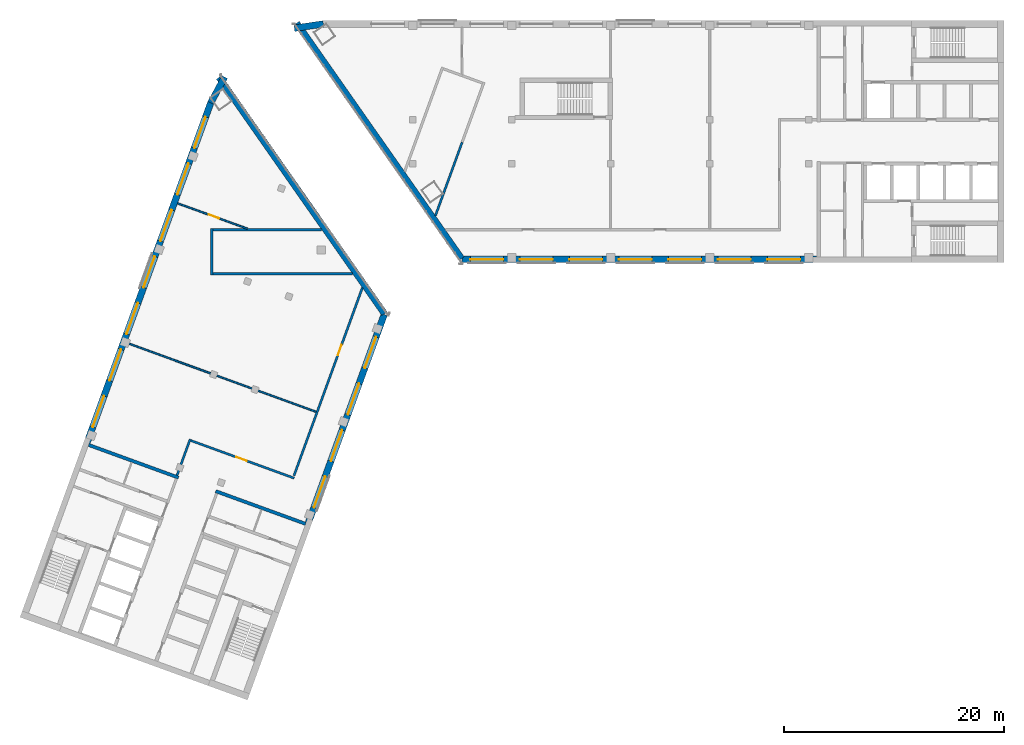
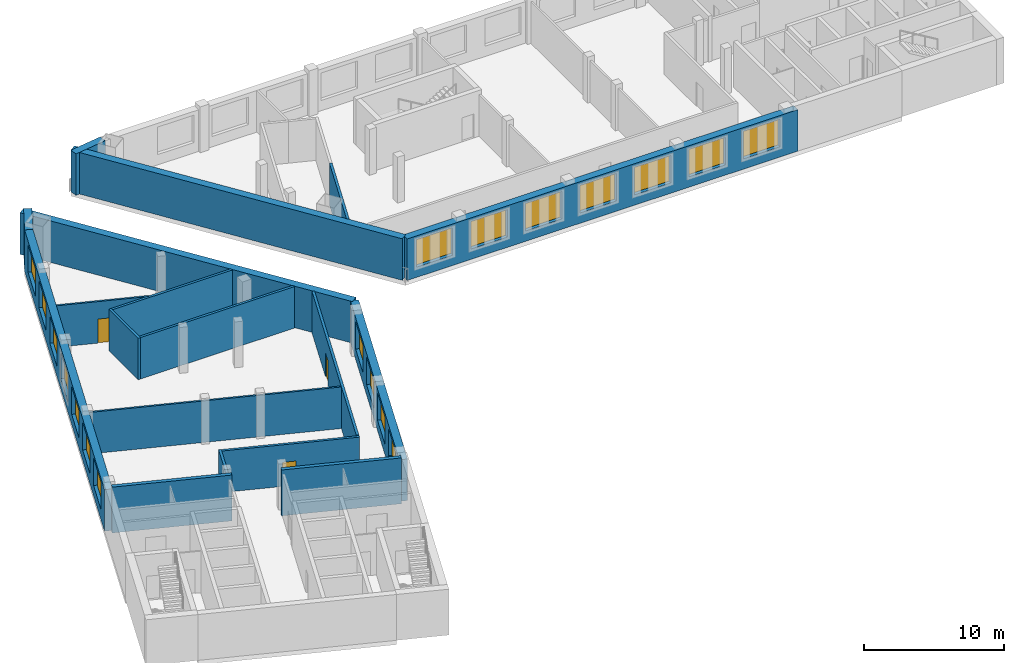
# One storey, part 3 of 7: 18 walls, 18 windows, 3 doors, 21 openings.
"""IFC4 building model written with IfcOpenShell, lengths in metres."""

from ifc_helpers import new_model, si_unit, direction, frame, frame_2d, origin, place, context, subcontext, project, spatial, rectangle, extrude, material, layer, layer_set, type_object, element, fill, save


model = new_model("IFC4")

# Units and contexts
model_context = context("Model", 3, precision=1e-05, world=origin(), true_north=direction((0.0, 1.0)))
body_context = subcontext(model_context, "Body", "Model", "MODEL_VIEW")
ifc_project = project(units=[si_unit("LENGTHUNIT", "METRE"), si_unit("AREAUNIT", "SQUARE_METRE"), si_unit("VOLUMEUNIT", "CUBIC_METRE"), si_unit("PLANEANGLEUNIT", "RADIAN"), si_unit("MASSUNIT", "GRAM", prefix="KILO")], contexts=[model_context])

# Site, building, storey
site_placement = place(None, origin())
site = spatial("IfcSite", under=ifc_project, at=site_placement, CompositionType="ELEMENT")
building_placement = place(site_placement, origin())
building = spatial("IfcBuilding", under=site, at=building_placement, Name="Skarvind Civic Tower", CompositionType="ELEMENT")
storey_placement = place(building_placement, frame((0.0, 0.0, 188.0)))
storey = spatial("IfcBuildingStorey", under=building, at=storey_placement, Name="L44", CompositionType="ELEMENT", Elevation=188.0)

# Walls
ifc_material_1 = material(Name="Concrete C60", Category="concrete")
ifc_layer_1 = layer(ifc_material_1, 0.300048828125)
ifc_layer_set_1 = layer_set([ifc_layer_1], Name="Core wall 300 C60")
wall_type_1 = type_object("IfcWallType", Name="Core wall 300 C60", PredefinedType="SHEAR", material=ifc_layer_set_1)
wall_1_placement = place(storey_placement, frame((44.52880859375, 93.258056640625, 0.0), z_axis=(0.0, 0.0, 1.0), x_axis=(-0.9396917844, 0.342022441267, 0.0)))
element("IfcWall", 1, at=wall_1_placement, inside=storey, type_object=wall_type_1, Name="Core wall C2 south inner face L44", PredefinedType="SHEAR", context=body_context, shape_type="SweptSolid", body=[
    extrude(rectangle(XDim=8.699951171875, YDim=0.300048828125, at=frame_2d((4.35009765625, 0.0))), origin(), (0.0, 0.0, 1.0), 4.0),
])
wall_2_placement = place(storey_placement, frame((32.970703125, 97.46484375, 0.0), z_axis=(0.0, 0.0, 1.0), x_axis=(-0.939695066972, 0.34201342241, 0.0)))
element("IfcWall", 2, at=wall_2_placement, inside=storey, type_object=wall_type_1, Name="Core wall C2 north inner face L44", PredefinedType="SHEAR", context=body_context, shape_type="SweptSolid", body=[
    extrude(rectangle(XDim=8.7001953125, YDim=0.300048828125, at=frame_2d((4.35009765625, 0.0))), origin(), (0.0, 0.0, 1.0), 4.0),
])
ifc_material_2 = material(Name="Fire-rated blockwork wall, plastered", Category="masonry")
ifc_layer_2 = layer(ifc_material_2, 0.199951171875)
ifc_layer_set_2 = layer_set([ifc_layer_2], Name="FIRE WALL 200 EI 60")
wall_type_2 = type_object("IfcWallType", Name="FIRE WALL 200 EI 60", PredefinedType="PARTITIONING", material=ifc_layer_set_2)
wall_3_placement = place(storey_placement, frame((32.833984375, 97.674072265625, 0.0), z_axis=(0.0, 0.0, 1.0), x_axis=(0.342017493073, 0.939693585395, 0.0)))
element("IfcWall", 3, at=wall_3_placement, inside=storey, type_object=wall_type_2, Name="Portal partition L44 002", PredefinedType="PARTITIONING", context=body_context, shape_type="SweptSolid", body=[
    extrude(rectangle(XDim=3.5, YDim=0.199951171875, at=frame_2d((1.75, 0.0))), origin(), (0.0, 0.0, 1.0), 3.625),
])

# Wall, opening, door
wall_4_placement = place(storey_placement, frame((34.091064453125, 100.8349609375, 0.0), z_axis=(0.0, 0.0, 1.0), x_axis=(0.939702148643, -0.341993964619, 0.0)))
wall_4 = element("IfcWall", 4, at=wall_4_placement, inside=storey, type_object=wall_type_2, Name="Portal partition L44 004", PredefinedType="PARTITIONING", context=body_context, shape_type="SweptSolid", body=[
    extrude(rectangle(XDim=10.0, YDim=0.199951171875, at=frame_2d((5.0, 0.0))), origin(), (0.0, 0.0, 1.0), 3.625),
])
opening_1_placement = place(wall_4_placement, frame((4.39990234375, 0.0, 0.0)))
opening_1 = element("IfcOpeningElement", 5, at=opening_1_placement, cuts=wall_4, Name="Opening L44-D202", PredefinedType="OPENING", context=body_context, shape_type="SweptSolid", body=[
    extrude(rectangle(XDim=1.0, YDim=2.10009765625, at=frame_2d((0.5, 1.050048828125))), frame((0.0, 0.10986328125, 0.0), z_axis=(0.0, -1.0, 0.0), x_axis=(1.0, 0.0, 0.0)), (0.0, 0.0, 1.0), 0.219970703125),
])
ifc_material_3 = material(Name="Painted steel fire door leaf", Category="steel")
door_type_1 = type_object("IfcDoorType", Name="FIRE DOOR 1000X2100 STEEL", OperationType="NOTDEFINED", PredefinedType="DOOR", material=ifc_material_3)
door_1_placement = place(opening_1_placement, origin())
door_1 = element("IfcDoor", 6, at=door_1_placement, inside=storey, type_object=door_type_1, Name="FIRE DOOR", OperationType="SINGLE_SWING_LEFT", OverallHeight=2.10009765625, OverallWidth=1.0, PredefinedType="DOOR", context=body_context, shape_type="SweptSolid", body=[
    extrude(rectangle(XDim=1.0, YDim=2.10009765625, at=frame_2d((0.5, 1.050048828125))), frame((0.0, 0.02490234375, 0.0), z_axis=(0.0, -1.0, 0.0), x_axis=(1.0, 0.0, 0.0)), (0.0, 0.0, 1.0), 0.050048828125),
])
fill(opening_1, door_1)

# Walls
wall_5_placement = place(storey_placement, frame((36.0, 115.89990234375, 0.0), z_axis=(0.0, 0.0, 1.0), x_axis=(0.0, 1.0, 0.0)))
element("IfcWall", 7, at=wall_5_placement, inside=storey, type_object=wall_type_2, Name="Portal partition L44 005", PredefinedType="PARTITIONING", context=body_context, shape_type="SweptSolid", body=[
    extrude(rectangle(XDim=4.2001953125, YDim=0.199951171875, at=frame_2d((2.10009765625, 0.0))), origin(), (0.0, 0.0, 1.0), 3.625),
])
wall_6_placement = place(storey_placement, frame((36.10009765625, 116.0, 0.0), z_axis=(0.0, 0.0, 1.0), x_axis=(1.0, 0.0, 0.0)))
element("IfcWall", 8, at=wall_6_placement, inside=storey, type_object=wall_type_2, Name="Portal partition L44 006", PredefinedType="PARTITIONING", context=body_context, shape_type="SweptSolid", body=[
    extrude(rectangle(XDim=12.68701171875, YDim=0.199951171875, at=frame_2d((6.343505859375, 0.0))), origin(), (0.0, 0.0, 1.0), 3.625),
])
wall_7_placement = place(storey_placement, frame((36.10009765625, 120.0, 0.0), z_axis=(0.0, 0.0, 1.0), x_axis=(1.0, 0.0, 0.0)))
element("IfcWall", 9, at=wall_7_placement, inside=storey, type_object=wall_type_2, Name="Portal partition L44 007", PredefinedType="PARTITIONING", context=body_context, shape_type="SweptSolid", body=[
    extrude(rectangle(XDim=9.886962890625, YDim=0.199951171875, at=frame_2d((4.943359375, 0.0))), origin(), (0.0, 0.0, 1.0), 3.625),
])

# Wall, opening, door
wall_8_placement = place(storey_placement, frame((43.464111328125, 97.64111328125, 0.0), z_axis=(0.0, 0.0, 1.0), x_axis=(0.341997546278, 0.939700845131, 0.0)))
wall_8 = element("IfcWall", 10, at=wall_8_placement, inside=storey, type_object=wall_type_2, Name="Portal partition L44 009", PredefinedType="PARTITIONING", context=body_context, shape_type="SweptSolid", body=[
    extrude(rectangle(XDim=18.177978515625, YDim=0.199951171875, at=frame_2d((9.0888671875, 0.0))), origin(), (0.0, 0.0, 1.0), 3.625),
])
opening_2_placement = place(wall_8_placement, frame((11.658935546875, 0.0, 0.0)))
opening_2 = element("IfcOpeningElement", 11, at=opening_2_placement, cuts=wall_8, Name="Opening L44-D203", PredefinedType="OPENING", context=body_context, shape_type="SweptSolid", body=[
    extrude(rectangle(XDim=1.0, YDim=2.10009765625, at=frame_2d((0.5, 1.050048828125))), frame((0.0, 0.10986328125, 0.0), z_axis=(0.0, -1.0, 0.0), x_axis=(1.0, 0.0, 0.0)), (0.0, 0.0, 1.0), 0.219970703125),
])
door_2_placement = place(opening_2_placement, origin())
door_2 = element("IfcDoor", 12, at=door_2_placement, inside=storey, type_object=door_type_1, Name="FIRE DOOR", OperationType="SINGLE_SWING_RIGHT", OverallHeight=2.10009765625, OverallWidth=1.0, PredefinedType="DOOR", context=body_context, shape_type="SweptSolid", body=[
    extrude(rectangle(XDim=1.0, YDim=2.10009765625, at=frame_2d((0.5, 1.050048828125))), frame((0.0, 0.02490234375, 0.0), z_axis=(0.0, -1.0, 0.0), x_axis=(1.0, 0.0, 0.0)), (0.0, 0.0, 1.0), 0.050048828125),
])
fill(opening_2, door_2)

# Walls
wall_9_placement = place(storey_placement, frame((56.322998046875, 121.278076171875, 0.0), z_axis=(0.0, 0.0, 1.0), x_axis=(0.342116070913, 0.939657700454, 0.0)))
element("IfcWall", 13, at=wall_9_placement, inside=storey, type_object=wall_type_2, Name="Portal partition L44 011", PredefinedType="PARTITIONING", context=body_context, shape_type="SweptSolid", body=[
    extrude(rectangle(XDim=7.093994140625, YDim=0.199951171875, at=frame_2d((3.546875, 0.0))), origin(), (0.0, 0.0, 1.0), 3.625),
])
ifc_material_4 = material(Name="Plasterboard partition on steel studs", Category="steel")
ifc_layer_3 = layer(ifc_material_4, 0.14990234375)
ifc_layer_set_3 = layer_set([ifc_layer_3], Name="PARTITION 150")
wall_type_3 = type_object("IfcWallType", Name="PARTITION 150", PredefinedType="PARTITIONING", material=ifc_layer_set_3)
wall_10_placement = place(storey_placement, frame((28.27490234375, 109.708984375, 0.0), z_axis=(0.0, 0.0, 1.0), x_axis=(0.939695619185, -0.342011905181, 0.0)))
element("IfcWall", 14, at=wall_10_placement, inside=storey, type_object=wall_type_3, Name="Portal partition L44 001", PredefinedType="PARTITIONING", context=body_context, shape_type="SweptSolid", body=[
    extrude(rectangle(XDim=18.300537109375, YDim=0.14990234375, at=frame_2d((9.150390625, 0.0))), origin(), (0.0, 0.0, 1.0), 3.625),
])

# Wall, opening, door
wall_11_placement = place(storey_placement, frame((39.222900390625, 120.091064453125, 0.0), z_axis=(0.0, 0.0, 1.0), x_axis=(-0.939705573142, 0.341984554924, 0.0)))
wall_11 = element("IfcWall", 15, at=wall_11_placement, inside=storey, type_object=wall_type_3, Name="Portal partition L44 003", PredefinedType="PARTITIONING", context=body_context, shape_type="SweptSolid", body=[
    extrude(rectangle(XDim=6.737060546875, YDim=0.14990234375, at=frame_2d((3.36865234375, 0.0))), origin(), (0.0, 0.0, 1.0), 3.625),
])
opening_3_placement = place(wall_11_placement, frame((2.735107421875, 0.0, 0.0)))
opening_3 = element("IfcOpeningElement", 16, at=opening_3_placement, cuts=wall_11, Name="Opening L44-D201", PredefinedType="OPENING", context=body_context, shape_type="SweptSolid", body=[
    extrude(rectangle(XDim=1.0, YDim=2.10009765625, at=frame_2d((0.5, 1.050048828125))), frame((0.0, 0.0849609375, 0.0), z_axis=(0.0, -1.0, 0.0), x_axis=(1.0, 0.0, 0.0)), (0.0, 0.0, 1.0), 0.169921875),
])
ifc_material_5 = material(Name="Timber veneer door leaf", Category="wood")
door_type_2 = type_object("IfcDoorType", Name="DOOR 1000X2100 TIMBER", OperationType="NOTDEFINED", PredefinedType="DOOR", material=ifc_material_5)
door_3_placement = place(opening_3_placement, origin())
door_3 = element("IfcDoor", 17, at=door_3_placement, inside=storey, type_object=door_type_2, Name="DOOR DOOR", OperationType="SINGLE_SWING_LEFT", OverallHeight=2.10009765625, OverallWidth=1.0, PredefinedType="DOOR", context=body_context, shape_type="SweptSolid", body=[
    extrude(rectangle(XDim=1.0, YDim=2.10009765625, at=frame_2d((0.5, 1.050048828125))), frame((0.0, 0.02490234375, 0.0), z_axis=(0.0, -1.0, 0.0), x_axis=(1.0, 0.0, 0.0)), (0.0, 0.0, 1.0), 0.050048828125),
])
fill(opening_3, door_3)

# Walls
ifc_material_6 = material(Name="Limestone masonry cladding on insulated backing", Category="masonry")
ifc_layer_4 = layer(ifc_material_6, 0.60009765625)
ifc_layer_set_4 = layer_set([ifc_layer_4], Name="WX1 STONE FACADE WALL 600")
wall_type_4 = type_object("IfcWallType", Name="WX1 STONE FACADE WALL 600", PredefinedType="SOLIDWALL", material=ifc_layer_set_4)
wall_12_placement = place(storey_placement, frame((43.499755859375, 138.310791015625, 0.0), z_axis=(0.0, 0.0, 1.0), x_axis=(0.989122765532, 0.147092333948, 0.0)))
element("IfcWall", 18, at=wall_12_placement, inside=storey, type_object=wall_type_4, Name="STONE FACADE WALL", PredefinedType="SOLIDWALL", context=body_context, shape_type="SweptSolid", body=[
    extrude(rectangle(XDim=2.6689453125, YDim=0.60009765625, at=frame_2d((1.33447265625, 0.0))), origin(), (0.0, 0.0, 1.0), 3.625),
])
wall_13_placement = place(storey_placement, frame((58.693603515625, 117.36865234375, 0.0), z_axis=(0.0, 0.0, 1.0), x_axis=(-0.573579564522, 0.819149853911, 0.0)))
element("IfcWall", 19, at=wall_13_placement, inside=storey, type_object=wall_type_4, Name="STONE FACADE WALL", PredefinedType="SOLIDWALL", context=body_context, shape_type="SweptSolid", body=[
    extrude(rectangle(XDim=26.137939453125, YDim=0.60009765625, at=frame_2d((13.06884765625, 0.0))), origin(), (0.0, 0.0, 1.0), 3.625),
])

# Wall, openings, windows
wall_14_placement = place(storey_placement, frame((90.97998046875, 117.300048828125, 0.0), z_axis=(0.0, 0.0, 1.0), x_axis=(-1.0, 0.0, 0.0)))
wall_14 = element("IfcWall", 20, at=wall_14_placement, inside=storey, type_object=wall_type_4, Name="STONE FACADE WALL", PredefinedType="SOLIDWALL", context=body_context, shape_type="SweptSolid", body=[
    extrude(rectangle(XDim=32.234619140625, YDim=0.60009765625, at=frame_2d((16.1171875, 0.0))), origin(), (0.0, 0.0, 1.0), 3.625),
])
opening_4_placement = place(wall_14_placement, frame((1.47998046875, 0.0, 0.89990234375)))
opening_4 = element("IfcOpeningElement", 21, at=opening_4_placement, cuts=wall_14, Name="Opening WN1", PredefinedType="OPENING", context=body_context, shape_type="SweptSolid", body=[
    extrude(rectangle(XDim=3.0, YDim=2.39990234375, at=frame_2d((1.5, 1.199951171875))), frame((0.0, 0.31005859375, 0.0), z_axis=(0.0, -1.0, 0.0), x_axis=(1.0, 0.0, 0.0)), (0.0, 0.0, 1.0), 0.6201171875),
])
opening_5_placement = place(wall_14_placement, frame((5.97998046875, 0.0, 0.89990234375)))
opening_5 = element("IfcOpeningElement", 22, at=opening_5_placement, cuts=wall_14, Name="Opening WN1", PredefinedType="OPENING", context=body_context, shape_type="SweptSolid", body=[
    extrude(rectangle(XDim=3.0, YDim=2.39990234375, at=frame_2d((1.5, 1.199951171875))), frame((0.0, 0.31005859375, 0.0), z_axis=(0.0, -1.0, 0.0), x_axis=(1.0, 0.0, 0.0)), (0.0, 0.0, 1.0), 0.6201171875),
])
opening_6_placement = place(wall_14_placement, frame((10.47998046875, 0.0, 0.89990234375)))
opening_6 = element("IfcOpeningElement", 23, at=opening_6_placement, cuts=wall_14, Name="Opening WN1", PredefinedType="OPENING", context=body_context, shape_type="SweptSolid", body=[
    extrude(rectangle(XDim=3.0, YDim=2.39990234375, at=frame_2d((1.5, 1.199951171875))), frame((0.0, 0.31005859375, 0.0), z_axis=(0.0, -1.0, 0.0), x_axis=(1.0, 0.0, 0.0)), (0.0, 0.0, 1.0), 0.6201171875),
])
opening_7_placement = place(wall_14_placement, frame((14.97998046875, 0.0, 0.89990234375)))
opening_7 = element("IfcOpeningElement", 24, at=opening_7_placement, cuts=wall_14, Name="Opening WN1", PredefinedType="OPENING", context=body_context, shape_type="SweptSolid", body=[
    extrude(rectangle(XDim=3.0, YDim=2.39990234375, at=frame_2d((1.5, 1.199951171875))), frame((0.0, 0.31005859375, 0.0), z_axis=(0.0, -1.0, 0.0), x_axis=(1.0, 0.0, 0.0)), (0.0, 0.0, 1.0), 0.6201171875),
])
opening_8_placement = place(wall_14_placement, frame((19.47998046875, 0.0, 0.89990234375)))
opening_8 = element("IfcOpeningElement", 25, at=opening_8_placement, cuts=wall_14, Name="Opening WN1", PredefinedType="OPENING", context=body_context, shape_type="SweptSolid", body=[
    extrude(rectangle(XDim=3.0, YDim=2.39990234375, at=frame_2d((1.5, 1.199951171875))), frame((0.0, 0.31005859375, 0.0), z_axis=(0.0, -1.0, 0.0), x_axis=(1.0, 0.0, 0.0)), (0.0, 0.0, 1.0), 0.6201171875),
])
opening_9_placement = place(wall_14_placement, frame((23.97998046875, 0.0, 0.89990234375)))
opening_9 = element("IfcOpeningElement", 26, at=opening_9_placement, cuts=wall_14, Name="Opening WN1", PredefinedType="OPENING", context=body_context, shape_type="SweptSolid", body=[
    extrude(rectangle(XDim=3.0, YDim=2.39990234375, at=frame_2d((1.5, 1.199951171875))), frame((0.0, 0.31005859375, 0.0), z_axis=(0.0, -1.0, 0.0), x_axis=(1.0, 0.0, 0.0)), (0.0, 0.0, 1.0), 0.6201171875),
])
opening_10_placement = place(wall_14_placement, frame((28.47998046875, 0.0, 0.89990234375)))
opening_10 = element("IfcOpeningElement", 27, at=opening_10_placement, cuts=wall_14, Name="Opening WN1", PredefinedType="OPENING", context=body_context, shape_type="SweptSolid", body=[
    extrude(rectangle(XDim=3.0, YDim=2.39990234375, at=frame_2d((1.5, 1.199951171875))), frame((0.0, 0.31005859375, 0.0), z_axis=(0.0, -1.0, 0.0), x_axis=(1.0, 0.0, 0.0)), (0.0, 0.0, 1.0), 0.6201171875),
])
ifc_material_7 = material(Name="Timber frame, double glazing, timber-lined reveal", Category="wood")
window_type = type_object("IfcWindowType", Name="WN1 PUNCHED STONE WINDOW 3000 x 2400", PartitioningType="SINGLE_PANEL", PredefinedType="WINDOW", material=ifc_material_7)
window_1_placement = place(opening_4_placement, origin())
window_1 = element("IfcWindow", 28, at=window_1_placement, inside=storey, type_object=window_type, Name="WN1 WINDOW", OverallHeight=2.39990234375, OverallWidth=3.0, PartitioningType="SINGLE_PANEL", PredefinedType="WINDOW", context=body_context, shape_type="SweptSolid", body=[
    extrude(rectangle(XDim=3.0, YDim=2.39990234375, at=frame_2d((1.5, 1.199951171875))), frame((0.0, 0.030029296875, 0.0), z_axis=(0.0, -1.0, 0.0), x_axis=(1.0, 0.0, 0.0)), (0.0, 0.0, 1.0), 0.06005859375),
])
fill(opening_4, window_1)
window_2_placement = place(opening_5_placement, origin())
window_2 = element("IfcWindow", 29, at=window_2_placement, inside=storey, type_object=window_type, Name="WN1 WINDOW", OverallHeight=2.39990234375, OverallWidth=3.0, PartitioningType="SINGLE_PANEL", PredefinedType="WINDOW", context=body_context, shape_type="SweptSolid", body=[
    extrude(rectangle(XDim=3.0, YDim=2.39990234375, at=frame_2d((1.5, 1.199951171875))), frame((0.0, 0.030029296875, 0.0), z_axis=(0.0, -1.0, 0.0), x_axis=(1.0, 0.0, 0.0)), (0.0, 0.0, 1.0), 0.06005859375),
])
fill(opening_5, window_2)
window_3_placement = place(opening_6_placement, origin())
window_3 = element("IfcWindow", 30, at=window_3_placement, inside=storey, type_object=window_type, Name="WN1 WINDOW", OverallHeight=2.39990234375, OverallWidth=3.0, PartitioningType="SINGLE_PANEL", PredefinedType="WINDOW", context=body_context, shape_type="SweptSolid", body=[
    extrude(rectangle(XDim=3.0, YDim=2.39990234375, at=frame_2d((1.5, 1.199951171875))), frame((0.0, 0.030029296875, 0.0), z_axis=(0.0, -1.0, 0.0), x_axis=(1.0, 0.0, 0.0)), (0.0, 0.0, 1.0), 0.06005859375),
])
fill(opening_6, window_3)
window_4_placement = place(opening_7_placement, origin())
window_4 = element("IfcWindow", 31, at=window_4_placement, inside=storey, type_object=window_type, Name="WN1 WINDOW", OverallHeight=2.39990234375, OverallWidth=3.0, PartitioningType="SINGLE_PANEL", PredefinedType="WINDOW", context=body_context, shape_type="SweptSolid", body=[
    extrude(rectangle(XDim=3.0, YDim=2.39990234375, at=frame_2d((1.5, 1.199951171875))), frame((0.0, 0.030029296875, 0.0), z_axis=(0.0, -1.0, 0.0), x_axis=(1.0, 0.0, 0.0)), (0.0, 0.0, 1.0), 0.06005859375),
])
fill(opening_7, window_4)
window_5_placement = place(opening_8_placement, origin())
window_5 = element("IfcWindow", 32, at=window_5_placement, inside=storey, type_object=window_type, Name="WN1 WINDOW", OverallHeight=2.39990234375, OverallWidth=3.0, PartitioningType="SINGLE_PANEL", PredefinedType="WINDOW", context=body_context, shape_type="SweptSolid", body=[
    extrude(rectangle(XDim=3.0, YDim=2.39990234375, at=frame_2d((1.5, 1.199951171875))), frame((0.0, 0.030029296875, 0.0), z_axis=(0.0, -1.0, 0.0), x_axis=(1.0, 0.0, 0.0)), (0.0, 0.0, 1.0), 0.06005859375),
])
fill(opening_8, window_5)
window_6_placement = place(opening_9_placement, origin())
window_6 = element("IfcWindow", 33, at=window_6_placement, inside=storey, type_object=window_type, Name="WN1 WINDOW", OverallHeight=2.39990234375, OverallWidth=3.0, PartitioningType="SINGLE_PANEL", PredefinedType="WINDOW", context=body_context, shape_type="SweptSolid", body=[
    extrude(rectangle(XDim=3.0, YDim=2.39990234375, at=frame_2d((1.5, 1.199951171875))), frame((0.0, 0.030029296875, 0.0), z_axis=(0.0, -1.0, 0.0), x_axis=(1.0, 0.0, 0.0)), (0.0, 0.0, 1.0), 0.06005859375),
])
fill(opening_9, window_6)
window_7_placement = place(opening_10_placement, origin())
window_7 = element("IfcWindow", 34, at=window_7_placement, inside=storey, type_object=window_type, Name="WN1 WINDOW", OverallHeight=2.39990234375, OverallWidth=3.0, PartitioningType="SINGLE_PANEL", PredefinedType="WINDOW", context=body_context, shape_type="SweptSolid", body=[
    extrude(rectangle(XDim=3.0, YDim=2.39990234375, at=frame_2d((1.5, 1.199951171875))), frame((0.0, 0.030029296875, 0.0), z_axis=(0.0, -1.0, 0.0), x_axis=(1.0, 0.0, 0.0)), (0.0, 0.0, 1.0), 0.06005859375),
])
fill(opening_10, window_7)

wall_15_placement = place(storey_placement, frame((51.668212890625, 112.28857421875, 0.0), z_axis=(0.0, 0.0, 1.0), x_axis=(-0.342020240414, -0.939692585449, 0.0)))
wall_15 = element("IfcWall", 35, at=wall_15_placement, inside=storey, type_object=wall_type_4, Name="STONE FACADE WALL", PredefinedType="SOLIDWALL", context=body_context, shape_type="SweptSolid", body=[
    extrude(rectangle(XDim=20.15478515625, YDim=0.60009765625, at=frame_2d((10.077392578125, 0.0))), origin(), (0.0, 0.0, 1.0), 3.625),
])
opening_11_placement = place(wall_15_placement, frame((2.174560546875, 0.0, 0.89990234375)))
opening_11 = element("IfcOpeningElement", 36, at=opening_11_placement, cuts=wall_15, Name="Opening WN1", PredefinedType="OPENING", context=body_context, shape_type="SweptSolid", body=[
    extrude(rectangle(XDim=3.0, YDim=2.39990234375, at=frame_2d((1.5, 1.199951171875))), frame((0.0, 0.31005859375, 0.0), z_axis=(0.0, -1.0, 0.0), x_axis=(1.0, 0.0, 0.0)), (0.0, 0.0, 1.0), 0.6201171875),
])
opening_12_placement = place(wall_15_placement, frame((6.674560546875, 0.0, 0.89990234375)))
opening_12 = element("IfcOpeningElement", 37, at=opening_12_placement, cuts=wall_15, Name="Opening WN1", PredefinedType="OPENING", context=body_context, shape_type="SweptSolid", body=[
    extrude(rectangle(XDim=3.0, YDim=2.39990234375, at=frame_2d((1.5, 1.199951171875))), frame((0.0, 0.31005859375, 0.0), z_axis=(0.0, -1.0, 0.0), x_axis=(1.0, 0.0, 0.0)), (0.0, 0.0, 1.0), 0.6201171875),
])
opening_13_placement = place(wall_15_placement, frame((11.174560546875, 0.0, 0.89990234375)))
opening_13 = element("IfcOpeningElement", 38, at=opening_13_placement, cuts=wall_15, Name="Opening WN1", PredefinedType="OPENING", context=body_context, shape_type="SweptSolid", body=[
    extrude(rectangle(XDim=3.0, YDim=2.39990234375, at=frame_2d((1.5, 1.199951171875))), frame((0.0, 0.31005859375, 0.0), z_axis=(0.0, -1.0, 0.0), x_axis=(1.0, 0.0, 0.0)), (0.0, 0.0, 1.0), 0.6201171875),
])
opening_14_placement = place(wall_15_placement, frame((15.674560546875, 0.0, 0.89990234375)))
opening_14 = element("IfcOpeningElement", 39, at=opening_14_placement, cuts=wall_15, Name="Opening WN1", PredefinedType="OPENING", context=body_context, shape_type="SweptSolid", body=[
    extrude(rectangle(XDim=3.0, YDim=2.39990234375, at=frame_2d((1.5, 1.199951171875))), frame((0.0, 0.31005859375, 0.0), z_axis=(0.0, -1.0, 0.0), x_axis=(1.0, 0.0, 0.0)), (0.0, 0.0, 1.0), 0.6201171875),
])
window_8_placement = place(opening_11_placement, origin())
window_8 = element("IfcWindow", 40, at=window_8_placement, inside=storey, type_object=window_type, Name="WN1 WINDOW", OverallHeight=2.39990234375, OverallWidth=3.0, PartitioningType="SINGLE_PANEL", PredefinedType="WINDOW", context=body_context, shape_type="SweptSolid", body=[
    extrude(rectangle(XDim=3.0, YDim=2.39990234375, at=frame_2d((1.5, 1.199951171875))), frame((0.0, 0.030029296875, 0.0), z_axis=(0.0, -1.0, 0.0), x_axis=(1.0, 0.0, 0.0)), (0.0, 0.0, 1.0), 0.06005859375),
])
fill(opening_11, window_8)
window_9_placement = place(opening_12_placement, origin())
window_9 = element("IfcWindow", 41, at=window_9_placement, inside=storey, type_object=window_type, Name="WN1 WINDOW", OverallHeight=2.39990234375, OverallWidth=3.0, PartitioningType="SINGLE_PANEL", PredefinedType="WINDOW", context=body_context, shape_type="SweptSolid", body=[
    extrude(rectangle(XDim=3.0, YDim=2.39990234375, at=frame_2d((1.5, 1.199951171875))), frame((0.0, 0.030029296875, 0.0), z_axis=(0.0, -1.0, 0.0), x_axis=(1.0, 0.0, 0.0)), (0.0, 0.0, 1.0), 0.06005859375),
])
fill(opening_12, window_9)
window_10_placement = place(opening_13_placement, origin())
window_10 = element("IfcWindow", 42, at=window_10_placement, inside=storey, type_object=window_type, Name="WN1 WINDOW", OverallHeight=2.39990234375, OverallWidth=3.0, PartitioningType="SINGLE_PANEL", PredefinedType="WINDOW", context=body_context, shape_type="SweptSolid", body=[
    extrude(rectangle(XDim=3.0, YDim=2.39990234375, at=frame_2d((1.5, 1.199951171875))), frame((0.0, 0.030029296875, 0.0), z_axis=(0.0, -1.0, 0.0), x_axis=(1.0, 0.0, 0.0)), (0.0, 0.0, 1.0), 0.06005859375),
])
fill(opening_13, window_10)
window_11_placement = place(opening_14_placement, origin())
window_11 = element("IfcWindow", 43, at=window_11_placement, inside=storey, type_object=window_type, Name="WN1 WINDOW", OverallHeight=2.39990234375, OverallWidth=3.0, PartitioningType="SINGLE_PANEL", PredefinedType="WINDOW", context=body_context, shape_type="SweptSolid", body=[
    extrude(rectangle(XDim=3.0, YDim=2.39990234375, at=frame_2d((1.5, 1.199951171875))), frame((0.0, 0.030029296875, 0.0), z_axis=(0.0, -1.0, 0.0), x_axis=(1.0, 0.0, 0.0)), (0.0, 0.0, 1.0), 0.06005859375),
])
fill(opening_14, window_11)

# Walls
wall_16_placement = place(storey_placement, frame((36.65673828125, 133.8466796875, 0.0), z_axis=(0.0, 0.0, 1.0), x_axis=(0.573575458379, -0.819152729072, 0.0)))
element("IfcWall", 44, at=wall_16_placement, inside=storey, type_object=wall_type_4, Name="STONE FACADE WALL", PredefinedType="SOLIDWALL", context=body_context, shape_type="SweptSolid", body=[
    extrude(rectangle(XDim=26.2177734375, YDim=0.60009765625, at=frame_2d((13.10888671875, 0.0))), origin(), (0.0, 0.0, 1.0), 3.625),
])
wall_17_placement = place(storey_placement, frame((35.89453125, 131.529541015625, 0.0), z_axis=(0.0, 0.0, 1.0), x_axis=(0.476536580512, 0.87915464364, 0.0)))
element("IfcWall", 45, at=wall_17_placement, inside=storey, type_object=wall_type_4, Name="STONE FACADE WALL", PredefinedType="SOLIDWALL", context=body_context, shape_type="SweptSolid", body=[
    extrude(rectangle(XDim=2.668701171875, YDim=0.60009765625, at=frame_2d((1.33447265625, 0.0))), origin(), (0.0, 0.0, 1.0), 3.625),
])

# Wall, openings, windows
wall_18_placement = place(storey_placement, frame((24.66552734375, 100.668701171875, 0.0), z_axis=(0.0, 0.0, 1.0), x_axis=(0.34201964167, 0.939692803373, 0.0)))
wall_18 = element("IfcWall", 46, at=wall_18_placement, inside=storey, type_object=wall_type_4, Name="STONE FACADE WALL", PredefinedType="SOLIDWALL", context=body_context, shape_type="SweptSolid", body=[
    extrude(rectangle(XDim=32.88427734375, YDim=0.60009765625, at=frame_2d((16.442138671875, 0.0))), origin(), (0.0, 0.0, 1.0), 3.625),
])
opening_15_placement = place(wall_18_placement, frame((1.47998046875, 0.0, 0.89990234375)))
opening_15 = element("IfcOpeningElement", 47, at=opening_15_placement, cuts=wall_18, Name="Opening WN1", PredefinedType="OPENING", context=body_context, shape_type="SweptSolid", body=[
    extrude(rectangle(XDim=3.0, YDim=2.39990234375, at=frame_2d((1.5, 1.199951171875))), frame((0.0, 0.31005859375, 0.0), z_axis=(0.0, -1.0, 0.0), x_axis=(1.0, 0.0, 0.0)), (0.0, 0.0, 1.0), 0.6201171875),
])
opening_16_placement = place(wall_18_placement, frame((5.97998046875, 0.0, 0.89990234375)))
opening_16 = element("IfcOpeningElement", 48, at=opening_16_placement, cuts=wall_18, Name="Opening WN1", PredefinedType="OPENING", context=body_context, shape_type="SweptSolid", body=[
    extrude(rectangle(XDim=3.0, YDim=2.39990234375, at=frame_2d((1.5, 1.199951171875))), frame((0.0, 0.31005859375, 0.0), z_axis=(0.0, -1.0, 0.0), x_axis=(1.0, 0.0, 0.0)), (0.0, 0.0, 1.0), 0.6201171875),
])
opening_17_placement = place(wall_18_placement, frame((10.47998046875, 0.0, 0.89990234375)))
opening_17 = element("IfcOpeningElement", 49, at=opening_17_placement, cuts=wall_18, Name="Opening WN1", PredefinedType="OPENING", context=body_context, shape_type="SweptSolid", body=[
    extrude(rectangle(XDim=3.0, YDim=2.39990234375, at=frame_2d((1.5, 1.199951171875))), frame((0.0, 0.31005859375, 0.0), z_axis=(0.0, -1.0, 0.0), x_axis=(1.0, 0.0, 0.0)), (0.0, 0.0, 1.0), 0.6201171875),
])
opening_18_placement = place(wall_18_placement, frame((14.97998046875, 0.0, 0.89990234375)))
opening_18 = element("IfcOpeningElement", 50, at=opening_18_placement, cuts=wall_18, Name="Opening WN1", PredefinedType="OPENING", context=body_context, shape_type="SweptSolid", body=[
    extrude(rectangle(XDim=3.0, YDim=2.39990234375, at=frame_2d((1.5, 1.199951171875))), frame((0.0, 0.31005859375, 0.0), z_axis=(0.0, -1.0, 0.0), x_axis=(1.0, 0.0, 0.0)), (0.0, 0.0, 1.0), 0.6201171875),
])
opening_19_placement = place(wall_18_placement, frame((19.47998046875, 0.0, 0.89990234375)))
opening_19 = element("IfcOpeningElement", 51, at=opening_19_placement, cuts=wall_18, Name="Opening WN1", PredefinedType="OPENING", context=body_context, shape_type="SweptSolid", body=[
    extrude(rectangle(XDim=3.0, YDim=2.39990234375, at=frame_2d((1.5, 1.199951171875))), frame((0.0, 0.31005859375, 0.0), z_axis=(0.0, -1.0, 0.0), x_axis=(1.0, 0.0, 0.0)), (0.0, 0.0, 1.0), 0.6201171875),
])
opening_20_placement = place(wall_18_placement, frame((23.97998046875, 0.0, 0.89990234375)))
opening_20 = element("IfcOpeningElement", 52, at=opening_20_placement, cuts=wall_18, Name="Opening WN1", PredefinedType="OPENING", context=body_context, shape_type="SweptSolid", body=[
    extrude(rectangle(XDim=3.0, YDim=2.39990234375, at=frame_2d((1.5, 1.199951171875))), frame((0.0, 0.31005859375, 0.0), z_axis=(0.0, -1.0, 0.0), x_axis=(1.0, 0.0, 0.0)), (0.0, 0.0, 1.0), 0.6201171875),
])
opening_21_placement = place(wall_18_placement, frame((28.47998046875, 0.0, 0.89990234375)))
opening_21 = element("IfcOpeningElement", 53, at=opening_21_placement, cuts=wall_18, Name="Opening WN1", PredefinedType="OPENING", context=body_context, shape_type="SweptSolid", body=[
    extrude(rectangle(XDim=3.0, YDim=2.39990234375, at=frame_2d((1.5, 1.199951171875))), frame((0.0, 0.31005859375, 0.0), z_axis=(0.0, -1.0, 0.0), x_axis=(1.0, 0.0, 0.0)), (0.0, 0.0, 1.0), 0.6201171875),
])
window_12_placement = place(opening_15_placement, origin())
window_12 = element("IfcWindow", 54, at=window_12_placement, inside=storey, type_object=window_type, Name="WN1 WINDOW", OverallHeight=2.39990234375, OverallWidth=3.0, PartitioningType="SINGLE_PANEL", PredefinedType="WINDOW", context=body_context, shape_type="SweptSolid", body=[
    extrude(rectangle(XDim=3.0, YDim=2.39990234375, at=frame_2d((1.5, 1.199951171875))), frame((0.0, 0.030029296875, 0.0), z_axis=(0.0, -1.0, 0.0), x_axis=(1.0, 0.0, 0.0)), (0.0, 0.0, 1.0), 0.06005859375),
])
fill(opening_15, window_12)
window_13_placement = place(opening_16_placement, origin())
window_13 = element("IfcWindow", 55, at=window_13_placement, inside=storey, type_object=window_type, Name="WN1 WINDOW", OverallHeight=2.39990234375, OverallWidth=3.0, PartitioningType="SINGLE_PANEL", PredefinedType="WINDOW", context=body_context, shape_type="SweptSolid", body=[
    extrude(rectangle(XDim=3.0, YDim=2.39990234375, at=frame_2d((1.5, 1.199951171875))), frame((0.0, 0.030029296875, 0.0), z_axis=(0.0, -1.0, 0.0), x_axis=(1.0, 0.0, 0.0)), (0.0, 0.0, 1.0), 0.06005859375),
])
fill(opening_16, window_13)
window_14_placement = place(opening_17_placement, origin())
window_14 = element("IfcWindow", 56, at=window_14_placement, inside=storey, type_object=window_type, Name="WN1 WINDOW", OverallHeight=2.39990234375, OverallWidth=3.0, PartitioningType="SINGLE_PANEL", PredefinedType="WINDOW", context=body_context, shape_type="SweptSolid", body=[
    extrude(rectangle(XDim=3.0, YDim=2.39990234375, at=frame_2d((1.5, 1.199951171875))), frame((0.0, 0.030029296875, 0.0), z_axis=(0.0, -1.0, 0.0), x_axis=(1.0, 0.0, 0.0)), (0.0, 0.0, 1.0), 0.06005859375),
])
fill(opening_17, window_14)
window_15_placement = place(opening_18_placement, origin())
window_15 = element("IfcWindow", 57, at=window_15_placement, inside=storey, type_object=window_type, Name="WN1 WINDOW", OverallHeight=2.39990234375, OverallWidth=3.0, PartitioningType="SINGLE_PANEL", PredefinedType="WINDOW", context=body_context, shape_type="SweptSolid", body=[
    extrude(rectangle(XDim=3.0, YDim=2.39990234375, at=frame_2d((1.5, 1.199951171875))), frame((0.0, 0.030029296875, 0.0), z_axis=(0.0, -1.0, 0.0), x_axis=(1.0, 0.0, 0.0)), (0.0, 0.0, 1.0), 0.06005859375),
])
fill(opening_18, window_15)
window_16_placement = place(opening_19_placement, origin())
window_16 = element("IfcWindow", 58, at=window_16_placement, inside=storey, type_object=window_type, Name="WN1 WINDOW", OverallHeight=2.39990234375, OverallWidth=3.0, PartitioningType="SINGLE_PANEL", PredefinedType="WINDOW", context=body_context, shape_type="SweptSolid", body=[
    extrude(rectangle(XDim=3.0, YDim=2.39990234375, at=frame_2d((1.5, 1.199951171875))), frame((0.0, 0.030029296875, 0.0), z_axis=(0.0, -1.0, 0.0), x_axis=(1.0, 0.0, 0.0)), (0.0, 0.0, 1.0), 0.06005859375),
])
fill(opening_19, window_16)
window_17_placement = place(opening_20_placement, origin())
window_17 = element("IfcWindow", 59, at=window_17_placement, inside=storey, type_object=window_type, Name="WN1 WINDOW", OverallHeight=2.39990234375, OverallWidth=3.0, PartitioningType="SINGLE_PANEL", PredefinedType="WINDOW", context=body_context, shape_type="SweptSolid", body=[
    extrude(rectangle(XDim=3.0, YDim=2.39990234375, at=frame_2d((1.5, 1.199951171875))), frame((0.0, 0.030029296875, 0.0), z_axis=(0.0, -1.0, 0.0), x_axis=(1.0, 0.0, 0.0)), (0.0, 0.0, 1.0), 0.06005859375),
])
fill(opening_20, window_17)
window_18_placement = place(opening_21_placement, origin())
window_18 = element("IfcWindow", 60, at=window_18_placement, inside=storey, type_object=window_type, Name="WN1 WINDOW", OverallHeight=2.39990234375, OverallWidth=3.0, PartitioningType="SINGLE_PANEL", PredefinedType="WINDOW", context=body_context, shape_type="SweptSolid", body=[
    extrude(rectangle(XDim=3.0, YDim=2.39990234375, at=frame_2d((1.5, 1.199951171875))), frame((0.0, 0.030029296875, 0.0), z_axis=(0.0, -1.0, 0.0), x_axis=(1.0, 0.0, 0.0)), (0.0, 0.0, 1.0), 0.06005859375),
])
fill(opening_21, window_18)

save(model, "model.ifc")
